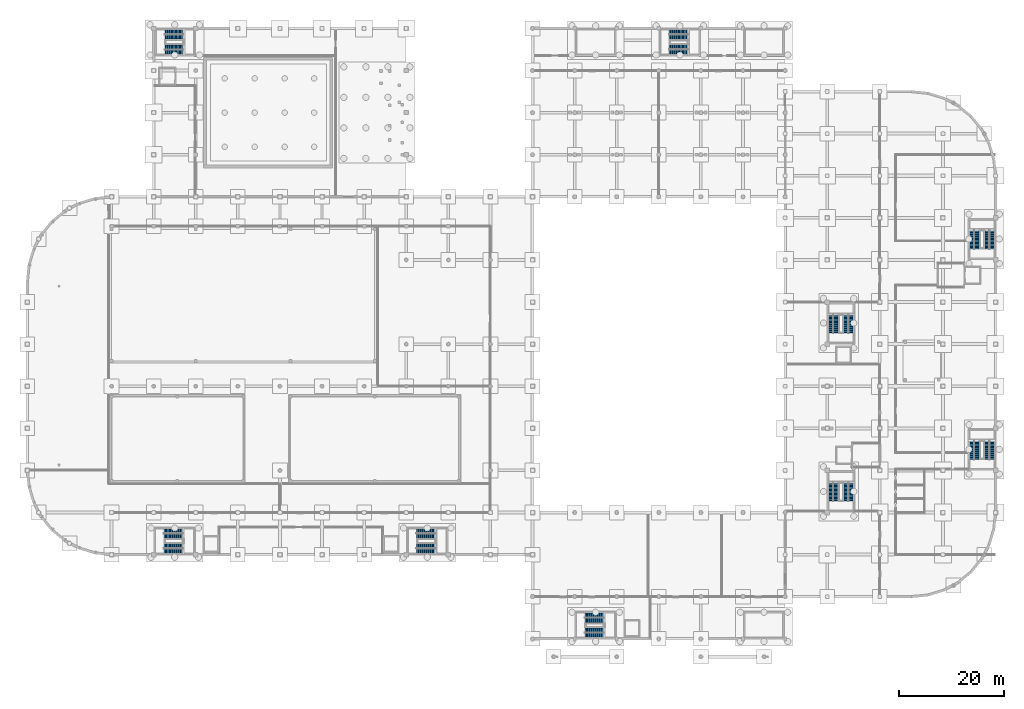
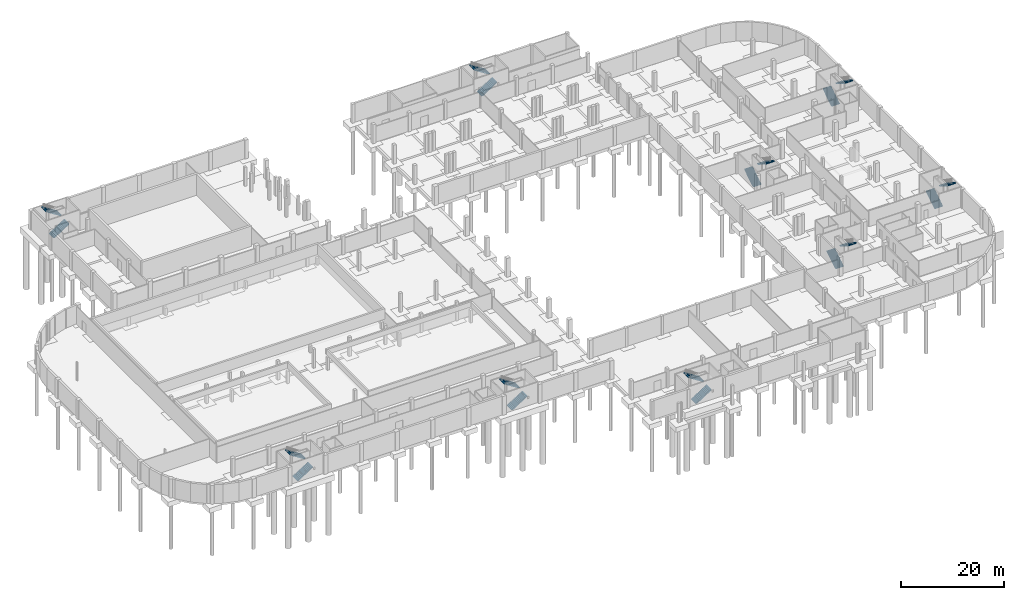
# One storey, part 28 of 29: 18 stair flights, 9 elements without a shape of their own.
"""IFC4 building model written with IfcOpenShell, lengths in metres."""

from ifc_helpers import new_model, si_unit, direction, frame, origin, place, context, subcontext, project, spatial, polyline, outline, extrude, material, type_object, element, aggregate, save


model = new_model("IFC4")

# Units and contexts
model_context = context("Model", 3, precision=1e-05, world=origin(), true_north=direction((0.0, 1.0)))
body_context = subcontext(model_context, "Body", "Model", "MODEL_VIEW")
ifc_project = project(units=[si_unit("LENGTHUNIT", "METRE"), si_unit("AREAUNIT", "SQUARE_METRE"), si_unit("VOLUMEUNIT", "CUBIC_METRE"), si_unit("PLANEANGLEUNIT", "RADIAN"), si_unit("MASSUNIT", "GRAM", prefix="KILO")], contexts=[model_context])

# Site, building, storey
site_placement = place(None, origin())
site = spatial("IfcSite", under=ifc_project, at=site_placement, CompositionType="ELEMENT")
building_placement = place(site_placement, origin())
building = spatial("IfcBuilding", under=site, at=building_placement, Name="Drelvana Railside Aquatics Centre", CompositionType="ELEMENT")
storey_placement = place(building_placement, frame((0.0, 0.0, -4.800048828125)))
storey = spatial("IfcBuildingStorey", under=building, at=storey_placement, Name="B1", CompositionType="ELEMENT", Elevation=-4.800048828125)

# Stair, stair flights
ifc_material = material(Name="Concrete C40/50", Category="concrete")
stair_type = type_object("IfcStairType", Name="ST-CORE-B1", PredefinedType="HALF_TURN_STAIR", material=ifc_material)
stair_1_placement = place(storey_placement, origin())
stair_1 = element("IfcStair", 1, at=stair_1_placement, inside=storey, type_object=stair_type, Name="Exit stair ST-01 (B1 to L00)", PredefinedType="HALF_TURN_STAIR")
stair_flight_type = type_object("IfcStairFlightType", Name="ST-CORE-B1-FL", PredefinedType="STRAIGHT", material=ifc_material)
stair_flight_1_placement = place(storey_placement, frame((25.969970703125, 17.175048828125, 0.0), z_axis=(0.0, 0.0, 1.0), x_axis=(1.0, 0.0, 0.0)))
stair_flight_1 = element("IfcStairFlight", 2, at=stair_flight_1_placement, type_object=stair_flight_type, Name="ST-B1 flight 1", NumberOfRisers=15, NumberOfTreads=14, PredefinedType="STRAIGHT", RiserHeight=0.16, TreadLength=0.25, context=body_context, shape_type="SweptSolid", body=[
    extrude(outline(polyline([(0.0, 0.0), (0.0, 0.159912109375), (0.25, 0.159912109375), (0.25, 0.320068359375), (0.5, 0.320068359375), (0.5, 0.47998046875), (0.75, 0.47998046875), (0.75, 0.639892578125), (1.0, 0.639892578125), (1.0, 0.800048828125), (1.25, 0.800048828125), (1.25, 0.9599609375), (1.5, 0.9599609375), (1.5, 1.1201171875), (1.75, 1.1201171875), (1.75, 1.280029296875), (2.0, 1.280029296875), (2.0, 1.43994140625), (2.25, 1.43994140625), (2.25, 1.60009765625), (2.5, 1.60009765625), (2.5, 1.760009765625), (2.75, 1.760009765625), (2.75, 1.919921875), (3.0, 1.919921875), (3.0, 2.080078125), (3.25, 2.080078125), (3.25, 2.239990234375), (3.5, 2.239990234375), (3.5, 2.39990234375), (3.5, 2.002685546875), (0.370849609375, 0.0), (0.0, 0.0)])), frame((0.0, 0.925048828125, 0.0), z_axis=(0.0, -1.0, 0.0), x_axis=(1.0, 0.0, 0.0)), (0.0, 0.0, 1.0), 1.85009765625),
])
stair_flight_2_placement = place(storey_placement, frame((29.469970703125, 20.02490234375, 2.400146484375), z_axis=(0.0, 0.0, 1.0), x_axis=(-1.0, 0.0, 0.0)))
stair_flight_2 = element("IfcStairFlight", 3, at=stair_flight_2_placement, type_object=stair_flight_type, Name="ST-B1 flight 2", NumberOfRisers=15, NumberOfTreads=14, PredefinedType="STRAIGHT", RiserHeight=0.16, TreadLength=0.25, context=body_context, shape_type="SweptSolid", body=[
    extrude(outline(polyline([(0.0, 0.0), (0.0, 0.159912109375), (0.25, 0.159912109375), (0.25, 0.320068359375), (0.5, 0.320068359375), (0.5, 0.47998046875), (0.75, 0.47998046875), (0.75, 0.639892578125), (1.0, 0.639892578125), (1.0, 0.800048828125), (1.25, 0.800048828125), (1.25, 0.9599609375), (1.5, 0.9599609375), (1.5, 1.1201171875), (1.75, 1.1201171875), (1.75, 1.280029296875), (2.0, 1.280029296875), (2.0, 1.43994140625), (2.25, 1.43994140625), (2.25, 1.60009765625), (2.5, 1.60009765625), (2.5, 1.760009765625), (2.75, 1.760009765625), (2.75, 1.919921875), (3.0, 1.919921875), (3.0, 2.080078125), (3.25, 2.080078125), (3.25, 2.239990234375), (3.5, 2.239990234375), (3.5, 2.39990234375), (3.5, 2.002685546875), (0.370849609375, 0.0), (0.0, 0.0)])), frame((0.0, 0.925048828125, 0.0), z_axis=(0.0, -1.0, 0.0), x_axis=(1.0, 0.0, 0.0)), (0.0, 0.0, 1.0), 1.85009765625),
])
aggregate(stair_1, [stair_flight_1, stair_flight_2])

stair_2_placement = place(storey_placement, origin())
stair_2 = element("IfcStair", 4, at=stair_2_placement, inside=storey, type_object=stair_type, Name="Exit stair ST-02 (B1 to L00)", PredefinedType="HALF_TURN_STAIR")
stair_flight_3_placement = place(storey_placement, frame((73.969970703125, 17.175048828125, 0.0), z_axis=(0.0, 0.0, 1.0), x_axis=(1.0, 0.0, 0.0)))
stair_flight_3 = element("IfcStairFlight", 5, at=stair_flight_3_placement, type_object=stair_flight_type, Name="ST-B1 flight 1", NumberOfRisers=15, NumberOfTreads=14, PredefinedType="STRAIGHT", RiserHeight=0.16, TreadLength=0.25, context=body_context, shape_type="SweptSolid", body=[
    extrude(outline(polyline([(0.0, 0.0), (0.0, 0.159912109375), (0.25, 0.159912109375), (0.25, 0.320068359375), (0.5, 0.320068359375), (0.5, 0.47998046875), (0.75, 0.47998046875), (0.75, 0.639892578125), (1.0, 0.639892578125), (1.0, 0.800048828125), (1.25, 0.800048828125), (1.25, 0.9599609375), (1.5, 0.9599609375), (1.5, 1.1201171875), (1.75, 1.1201171875), (1.75, 1.280029296875), (2.0, 1.280029296875), (2.0, 1.43994140625), (2.25, 1.43994140625), (2.25, 1.60009765625), (2.5, 1.60009765625), (2.5, 1.760009765625), (2.75, 1.760009765625), (2.75, 1.919921875), (3.0, 1.919921875), (3.0, 2.080078125), (3.25, 2.080078125), (3.25, 2.239990234375), (3.5, 2.239990234375), (3.5, 2.39990234375), (3.5, 2.002685546875), (0.370849609375, 0.0), (0.0, 0.0)])), frame((0.0, 0.925048828125, 0.0), z_axis=(0.0, -1.0, 0.0), x_axis=(1.0, 0.0, 0.0)), (0.0, 0.0, 1.0), 1.85009765625),
])
stair_flight_4_placement = place(storey_placement, frame((77.469970703125, 20.02490234375, 2.400146484375), z_axis=(0.0, 0.0, 1.0), x_axis=(-1.0, 0.0, 0.0)))
stair_flight_4 = element("IfcStairFlight", 6, at=stair_flight_4_placement, type_object=stair_flight_type, Name="ST-B1 flight 2", NumberOfRisers=15, NumberOfTreads=14, PredefinedType="STRAIGHT", RiserHeight=0.16, TreadLength=0.25, context=body_context, shape_type="SweptSolid", body=[
    extrude(outline(polyline([(0.0, 0.0), (0.0, 0.159912109375), (0.25, 0.159912109375), (0.25, 0.320068359375), (0.5, 0.320068359375), (0.5, 0.47998046875), (0.75, 0.47998046875), (0.75, 0.639892578125), (1.0, 0.639892578125), (1.0, 0.800048828125), (1.25, 0.800048828125), (1.25, 0.9599609375), (1.5, 0.9599609375), (1.5, 1.1201171875), (1.75, 1.1201171875), (1.75, 1.280029296875), (2.0, 1.280029296875), (2.0, 1.43994140625), (2.25, 1.43994140625), (2.25, 1.60009765625), (2.5, 1.60009765625), (2.5, 1.760009765625), (2.75, 1.760009765625), (2.75, 1.919921875), (3.0, 1.919921875), (3.0, 2.080078125), (3.25, 2.080078125), (3.25, 2.239990234375), (3.5, 2.239990234375), (3.5, 2.39990234375), (3.5, 2.002685546875), (0.370849609375, 0.0), (0.0, 0.0)])), frame((0.0, 0.925048828125, 0.0), z_axis=(0.0, -1.0, 0.0), x_axis=(1.0, 0.0, 0.0)), (0.0, 0.0, 1.0), 1.85009765625),
])
aggregate(stair_2, [stair_flight_3, stair_flight_4])

stair_3_placement = place(storey_placement, origin())
stair_3 = element("IfcStair", 7, at=stair_3_placement, inside=storey, type_object=stair_type, Name="Exit stair ST-03 (B1 to L00)", PredefinedType="HALF_TURN_STAIR")
stair_flight_5_placement = place(storey_placement, frame((26.1201171875, 111.949951171875, 0.0), z_axis=(0.0, 0.0, 1.0), x_axis=(1.0, 0.0, 0.0)))
stair_flight_5 = element("IfcStairFlight", 8, at=stair_flight_5_placement, type_object=stair_flight_type, Name="ST-B1 flight 1", NumberOfRisers=15, NumberOfTreads=14, PredefinedType="STRAIGHT", RiserHeight=0.16, TreadLength=0.25, context=body_context, shape_type="SweptSolid", body=[
    extrude(outline(polyline([(0.0, 0.0), (0.0, 0.159912109375), (0.25, 0.159912109375), (0.25, 0.320068359375), (0.5, 0.320068359375), (0.5, 0.47998046875), (0.75, 0.47998046875), (0.75, 0.639892578125), (1.0, 0.639892578125), (1.0, 0.800048828125), (1.25, 0.800048828125), (1.25, 0.9599609375), (1.5, 0.9599609375), (1.5, 1.1201171875), (1.75, 1.1201171875), (1.75, 1.280029296875), (2.0, 1.280029296875), (2.0, 1.43994140625), (2.25, 1.43994140625), (2.25, 1.60009765625), (2.5, 1.60009765625), (2.5, 1.760009765625), (2.75, 1.760009765625), (2.75, 1.919921875), (3.0, 1.919921875), (3.0, 2.080078125), (3.25, 2.080078125), (3.25, 2.239990234375), (3.5, 2.239990234375), (3.5, 2.39990234375), (3.5, 2.002685546875), (0.370849609375, 0.0), (0.0, 0.0)])), frame((0.0, 0.89990234375, 0.0), z_axis=(0.0, -1.0, 0.0), x_axis=(1.0, 0.0, 0.0)), (0.0, 0.0, 1.0), 1.800048828125),
])
stair_flight_6_placement = place(storey_placement, frame((29.6201171875, 114.85009765625, 2.400146484375), z_axis=(0.0, 0.0, 1.0), x_axis=(-1.0, 0.0, 0.0)))
stair_flight_6 = element("IfcStairFlight", 9, at=stair_flight_6_placement, type_object=stair_flight_type, Name="ST-B1 flight 2", NumberOfRisers=15, NumberOfTreads=14, PredefinedType="STRAIGHT", RiserHeight=0.16, TreadLength=0.25, context=body_context, shape_type="SweptSolid", body=[
    extrude(outline(polyline([(0.0, 0.0), (0.0, 0.159912109375), (0.25, 0.159912109375), (0.25, 0.320068359375), (0.5, 0.320068359375), (0.5, 0.47998046875), (0.75, 0.47998046875), (0.75, 0.639892578125), (1.0, 0.639892578125), (1.0, 0.800048828125), (1.25, 0.800048828125), (1.25, 0.9599609375), (1.5, 0.9599609375), (1.5, 1.1201171875), (1.75, 1.1201171875), (1.75, 1.280029296875), (2.0, 1.280029296875), (2.0, 1.43994140625), (2.25, 1.43994140625), (2.25, 1.60009765625), (2.5, 1.60009765625), (2.5, 1.760009765625), (2.75, 1.760009765625), (2.75, 1.919921875), (3.0, 1.919921875), (3.0, 2.080078125), (3.25, 2.080078125), (3.25, 2.239990234375), (3.5, 2.239990234375), (3.5, 2.39990234375), (3.5, 2.002685546875), (0.370849609375, 0.0), (0.0, 0.0)])), frame((0.0, 0.89990234375, 0.0), z_axis=(0.0, -1.0, 0.0), x_axis=(1.0, 0.0, 0.0)), (0.0, 0.0, 1.0), 1.800048828125),
])
aggregate(stair_3, [stair_flight_5, stair_flight_6])

stair_4_placement = place(storey_placement, origin())
stair_4 = element("IfcStair", 10, at=stair_4_placement, inside=storey, type_object=stair_type, Name="Exit stair ST-04 (B1 to L00)", PredefinedType="HALF_TURN_STAIR")
stair_flight_7_placement = place(storey_placement, frame((105.969970703125, 1.175048828125, 0.0), z_axis=(0.0, 0.0, 1.0), x_axis=(1.0, 0.0, 0.0)))
stair_flight_7 = element("IfcStairFlight", 11, at=stair_flight_7_placement, type_object=stair_flight_type, Name="ST-B1 flight 1", NumberOfRisers=15, NumberOfTreads=14, PredefinedType="STRAIGHT", RiserHeight=0.16, TreadLength=0.25, context=body_context, shape_type="SweptSolid", body=[
    extrude(outline(polyline([(0.0, 0.0), (0.0, 0.159912109375), (0.25, 0.159912109375), (0.25, 0.320068359375), (0.5, 0.320068359375), (0.5, 0.47998046875), (0.75, 0.47998046875), (0.75, 0.639892578125), (1.0, 0.639892578125), (1.0, 0.800048828125), (1.25, 0.800048828125), (1.25, 0.9599609375), (1.5, 0.9599609375), (1.5, 1.1201171875), (1.75, 1.1201171875), (1.75, 1.280029296875), (2.0, 1.280029296875), (2.0, 1.43994140625), (2.25, 1.43994140625), (2.25, 1.60009765625), (2.5, 1.60009765625), (2.5, 1.760009765625), (2.75, 1.760009765625), (2.75, 1.919921875), (3.0, 1.919921875), (3.0, 2.080078125), (3.25, 2.080078125), (3.25, 2.239990234375), (3.5, 2.239990234375), (3.5, 2.39990234375), (3.5, 2.002685546875), (0.370849609375, 0.0), (0.0, 0.0)])), frame((0.0, 0.925048828125, 0.0), z_axis=(0.0, -1.0, 0.0), x_axis=(1.0, 0.0, 0.0)), (0.0, 0.0, 1.0), 1.85009765625),
])
stair_flight_8_placement = place(storey_placement, frame((109.469970703125, 4.02490234375, 2.400146484375), z_axis=(0.0, 0.0, 1.0), x_axis=(-1.0, 0.0, 0.0)))
stair_flight_8 = element("IfcStairFlight", 12, at=stair_flight_8_placement, type_object=stair_flight_type, Name="ST-B1 flight 2", NumberOfRisers=15, NumberOfTreads=14, PredefinedType="STRAIGHT", RiserHeight=0.16, TreadLength=0.25, context=body_context, shape_type="SweptSolid", body=[
    extrude(outline(polyline([(0.0, 0.0), (0.0, 0.159912109375), (0.25, 0.159912109375), (0.25, 0.320068359375), (0.5, 0.320068359375), (0.5, 0.47998046875), (0.75, 0.47998046875), (0.75, 0.639892578125), (1.0, 0.639892578125), (1.0, 0.800048828125), (1.25, 0.800048828125), (1.25, 0.9599609375), (1.5, 0.9599609375), (1.5, 1.1201171875), (1.75, 1.1201171875), (1.75, 1.280029296875), (2.0, 1.280029296875), (2.0, 1.43994140625), (2.25, 1.43994140625), (2.25, 1.60009765625), (2.5, 1.60009765625), (2.5, 1.760009765625), (2.75, 1.760009765625), (2.75, 1.919921875), (3.0, 1.919921875), (3.0, 2.080078125), (3.25, 2.080078125), (3.25, 2.239990234375), (3.5, 2.239990234375), (3.5, 2.39990234375), (3.5, 2.002685546875), (0.370849609375, 0.0), (0.0, 0.0)])), frame((0.0, 0.925048828125, 0.0), z_axis=(0.0, -1.0, 0.0), x_axis=(1.0, 0.0, 0.0)), (0.0, 0.0, 1.0), 1.85009765625),
])
aggregate(stair_4, [stair_flight_7, stair_flight_8])

stair_5_placement = place(storey_placement, origin())
stair_5 = element("IfcStair", 13, at=stair_5_placement, inside=storey, type_object=stair_type, Name="Exit stair ST-05 (B1 to L00)", PredefinedType="HALF_TURN_STAIR")
stair_flight_9_placement = place(storey_placement, frame((121.969970703125, 111.97509765625, 0.0), z_axis=(0.0, 0.0, 1.0), x_axis=(1.0, 0.0, 0.0)))
stair_flight_9 = element("IfcStairFlight", 14, at=stair_flight_9_placement, type_object=stair_flight_type, Name="ST-B1 flight 1", NumberOfRisers=15, NumberOfTreads=14, PredefinedType="STRAIGHT", RiserHeight=0.16, TreadLength=0.25, context=body_context, shape_type="SweptSolid", body=[
    extrude(outline(polyline([(0.0, 0.0), (0.0, 0.159912109375), (0.25, 0.159912109375), (0.25, 0.320068359375), (0.5, 0.320068359375), (0.5, 0.47998046875), (0.75, 0.47998046875), (0.75, 0.639892578125), (1.0, 0.639892578125), (1.0, 0.800048828125), (1.25, 0.800048828125), (1.25, 0.9599609375), (1.5, 0.9599609375), (1.5, 1.1201171875), (1.75, 1.1201171875), (1.75, 1.280029296875), (2.0, 1.280029296875), (2.0, 1.43994140625), (2.25, 1.43994140625), (2.25, 1.60009765625), (2.5, 1.60009765625), (2.5, 1.760009765625), (2.75, 1.760009765625), (2.75, 1.919921875), (3.0, 1.919921875), (3.0, 2.080078125), (3.25, 2.080078125), (3.25, 2.239990234375), (3.5, 2.239990234375), (3.5, 2.39990234375), (3.5, 2.002685546875), (0.370849609375, 0.0), (0.0, 0.0)])), frame((0.0, 0.925048828125, 0.0), z_axis=(0.0, -1.0, 0.0), x_axis=(1.0, 0.0, 0.0)), (0.0, 0.0, 1.0), 1.85009765625),
])
stair_flight_10_placement = place(storey_placement, frame((125.469970703125, 114.824951171875, 2.400146484375), z_axis=(0.0, 0.0, 1.0), x_axis=(-1.0, 0.0, 0.0)))
stair_flight_10 = element("IfcStairFlight", 15, at=stair_flight_10_placement, type_object=stair_flight_type, Name="ST-B1 flight 2", NumberOfRisers=15, NumberOfTreads=14, PredefinedType="STRAIGHT", RiserHeight=0.16, TreadLength=0.25, context=body_context, shape_type="SweptSolid", body=[
    extrude(outline(polyline([(0.0, 0.0), (0.0, 0.159912109375), (0.25, 0.159912109375), (0.25, 0.320068359375), (0.5, 0.320068359375), (0.5, 0.47998046875), (0.75, 0.47998046875), (0.75, 0.639892578125), (1.0, 0.639892578125), (1.0, 0.800048828125), (1.25, 0.800048828125), (1.25, 0.9599609375), (1.5, 0.9599609375), (1.5, 1.1201171875), (1.75, 1.1201171875), (1.75, 1.280029296875), (2.0, 1.280029296875), (2.0, 1.43994140625), (2.25, 1.43994140625), (2.25, 1.60009765625), (2.5, 1.60009765625), (2.5, 1.760009765625), (2.75, 1.760009765625), (2.75, 1.919921875), (3.0, 1.919921875), (3.0, 2.080078125), (3.25, 2.080078125), (3.25, 2.239990234375), (3.5, 2.239990234375), (3.5, 2.39990234375), (3.5, 2.002685546875), (0.370849609375, 0.0), (0.0, 0.0)])), frame((0.0, 0.925048828125, 0.0), z_axis=(0.0, -1.0, 0.0), x_axis=(1.0, 0.0, 0.0)), (0.0, 0.0, 1.0), 1.85009765625),
])
aggregate(stair_5, [stair_flight_9, stair_flight_10])

stair_6_placement = place(storey_placement, origin())
stair_6 = element("IfcStair", 16, at=stair_6_placement, inside=storey, type_object=stair_type, Name="Exit stair ST-06 (B1 to L00)", PredefinedType="HALF_TURN_STAIR")
stair_flight_11_placement = place(storey_placement, frame((153.14990234375, 26.14990234375, 0.0), z_axis=(0.0, 0.0, 1.0), x_axis=(0.0, 1.0, 0.0)))
stair_flight_11 = element("IfcStairFlight", 17, at=stair_flight_11_placement, type_object=stair_flight_type, Name="ST-B1 flight 1", NumberOfRisers=15, NumberOfTreads=14, PredefinedType="STRAIGHT", RiserHeight=0.16, TreadLength=0.25, context=body_context, shape_type="SweptSolid", body=[
    extrude(outline(polyline([(0.0, 0.0), (0.0, 0.159912109375), (0.25, 0.159912109375), (0.25, 0.320068359375), (0.5, 0.320068359375), (0.5, 0.47998046875), (0.75, 0.47998046875), (0.75, 0.639892578125), (1.0, 0.639892578125), (1.0, 0.800048828125), (1.25, 0.800048828125), (1.25, 0.9599609375), (1.5, 0.9599609375), (1.5, 1.1201171875), (1.75, 1.1201171875), (1.75, 1.280029296875), (2.0, 1.280029296875), (2.0, 1.43994140625), (2.25, 1.43994140625), (2.25, 1.60009765625), (2.5, 1.60009765625), (2.5, 1.760009765625), (2.75, 1.760009765625), (2.75, 1.919921875), (3.0, 1.919921875), (3.0, 2.080078125), (3.25, 2.080078125), (3.25, 2.239990234375), (3.5, 2.239990234375), (3.5, 2.39990234375), (3.5, 2.002685546875), (0.370849609375, 0.0), (0.0, 0.0)])), frame((0.0, 0.89990234375, 0.0), z_axis=(0.0, -1.0, 0.0), x_axis=(1.0, 0.0, 0.0)), (0.0, 0.0, 1.0), 1.800048828125),
])
stair_flight_12_placement = place(storey_placement, frame((156.050048828125, 29.64990234375, 2.400146484375), z_axis=(0.0, 0.0, 1.0), x_axis=(0.0, -1.0, 0.0)))
stair_flight_12 = element("IfcStairFlight", 18, at=stair_flight_12_placement, type_object=stair_flight_type, Name="ST-B1 flight 2", NumberOfRisers=15, NumberOfTreads=14, PredefinedType="STRAIGHT", RiserHeight=0.16, TreadLength=0.25, context=body_context, shape_type="SweptSolid", body=[
    extrude(outline(polyline([(0.0, 0.0), (0.0, 0.159912109375), (0.25, 0.159912109375), (0.25, 0.320068359375), (0.5, 0.320068359375), (0.5, 0.47998046875), (0.75, 0.47998046875), (0.75, 0.639892578125), (1.0, 0.639892578125), (1.0, 0.800048828125), (1.25, 0.800048828125), (1.25, 0.9599609375), (1.5, 0.9599609375), (1.5, 1.1201171875), (1.75, 1.1201171875), (1.75, 1.280029296875), (2.0, 1.280029296875), (2.0, 1.43994140625), (2.25, 1.43994140625), (2.25, 1.60009765625), (2.5, 1.60009765625), (2.5, 1.760009765625), (2.75, 1.760009765625), (2.75, 1.919921875), (3.0, 1.919921875), (3.0, 2.080078125), (3.25, 2.080078125), (3.25, 2.239990234375), (3.5, 2.239990234375), (3.5, 2.39990234375), (3.5, 2.002685546875), (0.370849609375, 0.0), (0.0, 0.0)])), frame((0.0, 0.89990234375, 0.0), z_axis=(0.0, -1.0, 0.0), x_axis=(1.0, 0.0, 0.0)), (0.0, 0.0, 1.0), 1.800048828125),
])
aggregate(stair_6, [stair_flight_11, stair_flight_12])

stair_7_placement = place(storey_placement, origin())
stair_7 = element("IfcStair", 19, at=stair_7_placement, inside=storey, type_object=stair_type, Name="Exit stair ST-07 (B1 to L00)", PredefinedType="HALF_TURN_STAIR")
stair_flight_13_placement = place(storey_placement, frame((179.949951171875, 74.090087890625, 0.0), z_axis=(0.0, 0.0, 1.0), x_axis=(0.0, 1.0, 0.0)))
stair_flight_13 = element("IfcStairFlight", 20, at=stair_flight_13_placement, type_object=stair_flight_type, Name="ST-B1 flight 1", NumberOfRisers=15, NumberOfTreads=14, PredefinedType="STRAIGHT", RiserHeight=0.16, TreadLength=0.25, context=body_context, shape_type="SweptSolid", body=[
    extrude(outline(polyline([(0.0, 0.0), (0.0, 0.159912109375), (0.25, 0.159912109375), (0.25, 0.320068359375), (0.5, 0.320068359375), (0.5, 0.47998046875), (0.75, 0.47998046875), (0.75, 0.639892578125), (1.0, 0.639892578125), (1.0, 0.800048828125), (1.25, 0.800048828125), (1.25, 0.9599609375), (1.5, 0.9599609375), (1.5, 1.1201171875), (1.75, 1.1201171875), (1.75, 1.280029296875), (2.0, 1.280029296875), (2.0, 1.43994140625), (2.25, 1.43994140625), (2.25, 1.60009765625), (2.5, 1.60009765625), (2.5, 1.760009765625), (2.75, 1.760009765625), (2.75, 1.919921875), (3.0, 1.919921875), (3.0, 2.080078125), (3.25, 2.080078125), (3.25, 2.239990234375), (3.5, 2.239990234375), (3.5, 2.39990234375), (3.5, 2.002685546875), (0.370849609375, 0.0), (0.0, 0.0)])), frame((0.0, 0.89990234375, 0.0), z_axis=(0.0, -1.0, 0.0), x_axis=(1.0, 0.0, 0.0)), (0.0, 0.0, 1.0), 1.800048828125),
])
stair_flight_14_placement = place(storey_placement, frame((182.85009765625, 77.590087890625, 2.400146484375), z_axis=(0.0, 0.0, 1.0), x_axis=(0.0, -1.0, 0.0)))
stair_flight_14 = element("IfcStairFlight", 21, at=stair_flight_14_placement, type_object=stair_flight_type, Name="ST-B1 flight 2", NumberOfRisers=15, NumberOfTreads=14, PredefinedType="STRAIGHT", RiserHeight=0.16, TreadLength=0.25, context=body_context, shape_type="SweptSolid", body=[
    extrude(outline(polyline([(0.0, 0.0), (0.0, 0.159912109375), (0.25, 0.159912109375), (0.25, 0.320068359375), (0.5, 0.320068359375), (0.5, 0.47998046875), (0.75, 0.47998046875), (0.75, 0.639892578125), (1.0, 0.639892578125), (1.0, 0.800048828125), (1.25, 0.800048828125), (1.25, 0.9599609375), (1.5, 0.9599609375), (1.5, 1.1201171875), (1.75, 1.1201171875), (1.75, 1.280029296875), (2.0, 1.280029296875), (2.0, 1.43994140625), (2.25, 1.43994140625), (2.25, 1.60009765625), (2.5, 1.60009765625), (2.5, 1.760009765625), (2.75, 1.760009765625), (2.75, 1.919921875), (3.0, 1.919921875), (3.0, 2.080078125), (3.25, 2.080078125), (3.25, 2.239990234375), (3.5, 2.239990234375), (3.5, 2.39990234375), (3.5, 2.002685546875), (0.370849609375, 0.0), (0.0, 0.0)])), frame((0.0, 0.89990234375, 0.0), z_axis=(0.0, -1.0, 0.0), x_axis=(1.0, 0.0, 0.0)), (0.0, 0.0, 1.0), 1.800048828125),
])
aggregate(stair_7, [stair_flight_13, stair_flight_14])

stair_8_placement = place(storey_placement, origin())
stair_8 = element("IfcStair", 22, at=stair_8_placement, inside=storey, type_object=stair_type, Name="Exit stair ST-08 (B1 to L00)", PredefinedType="HALF_TURN_STAIR")
stair_flight_15_placement = place(storey_placement, frame((153.159912109375, 58.090087890625, 0.0), z_axis=(0.0, 0.0, 1.0), x_axis=(0.0, 1.0, 0.0)))
stair_flight_15 = element("IfcStairFlight", 23, at=stair_flight_15_placement, type_object=stair_flight_type, Name="ST-B1 flight 1", NumberOfRisers=15, NumberOfTreads=14, PredefinedType="STRAIGHT", RiserHeight=0.16, TreadLength=0.25, context=body_context, shape_type="SweptSolid", body=[
    extrude(outline(polyline([(0.0, 0.0), (0.0, 0.159912109375), (0.25, 0.159912109375), (0.25, 0.320068359375), (0.5, 0.320068359375), (0.5, 0.47998046875), (0.75, 0.47998046875), (0.75, 0.639892578125), (1.0, 0.639892578125), (1.0, 0.800048828125), (1.25, 0.800048828125), (1.25, 0.9599609375), (1.5, 0.9599609375), (1.5, 1.1201171875), (1.75, 1.1201171875), (1.75, 1.280029296875), (2.0, 1.280029296875), (2.0, 1.43994140625), (2.25, 1.43994140625), (2.25, 1.60009765625), (2.5, 1.60009765625), (2.5, 1.760009765625), (2.75, 1.760009765625), (2.75, 1.919921875), (3.0, 1.919921875), (3.0, 2.080078125), (3.25, 2.080078125), (3.25, 2.239990234375), (3.5, 2.239990234375), (3.5, 2.39990234375), (3.5, 2.002685546875), (0.370849609375, 0.0), (0.0, 0.0)])), frame((0.0, 0.91015625, 0.0), z_axis=(0.0, -1.0, 0.0), x_axis=(1.0, 0.0, 0.0)), (0.0, 0.0, 1.0), 1.820068359375),
])
stair_flight_16_placement = place(storey_placement, frame((156.0400390625, 61.590087890625, 2.400146484375), z_axis=(0.0, 0.0, 1.0), x_axis=(0.0, -1.0, 0.0)))
stair_flight_16 = element("IfcStairFlight", 24, at=stair_flight_16_placement, type_object=stair_flight_type, Name="ST-B1 flight 2", NumberOfRisers=15, NumberOfTreads=14, PredefinedType="STRAIGHT", RiserHeight=0.16, TreadLength=0.25, context=body_context, shape_type="SweptSolid", body=[
    extrude(outline(polyline([(0.0, 0.0), (0.0, 0.159912109375), (0.25, 0.159912109375), (0.25, 0.320068359375), (0.5, 0.320068359375), (0.5, 0.47998046875), (0.75, 0.47998046875), (0.75, 0.639892578125), (1.0, 0.639892578125), (1.0, 0.800048828125), (1.25, 0.800048828125), (1.25, 0.9599609375), (1.5, 0.9599609375), (1.5, 1.1201171875), (1.75, 1.1201171875), (1.75, 1.280029296875), (2.0, 1.280029296875), (2.0, 1.43994140625), (2.25, 1.43994140625), (2.25, 1.60009765625), (2.5, 1.60009765625), (2.5, 1.760009765625), (2.75, 1.760009765625), (2.75, 1.919921875), (3.0, 1.919921875), (3.0, 2.080078125), (3.25, 2.080078125), (3.25, 2.239990234375), (3.5, 2.239990234375), (3.5, 2.39990234375), (3.5, 2.002685546875), (0.370849609375, 0.0), (0.0, 0.0)])), frame((0.0, 0.91015625, 0.0), z_axis=(0.0, -1.0, 0.0), x_axis=(1.0, 0.0, 0.0)), (0.0, 0.0, 1.0), 1.820068359375),
])
aggregate(stair_8, [stair_flight_15, stair_flight_16])

stair_9_placement = place(storey_placement, origin())
stair_9 = element("IfcStair", 25, at=stair_9_placement, inside=storey, type_object=stair_type, Name="Exit stair ST-09 (B1 to L00)", PredefinedType="HALF_TURN_STAIR")
stair_flight_17_placement = place(storey_placement, frame((179.9599609375, 34.090087890625, 0.0), z_axis=(0.0, 0.0, 1.0), x_axis=(0.0, 1.0, 0.0)))
stair_flight_17 = element("IfcStairFlight", 26, at=stair_flight_17_placement, type_object=stair_flight_type, Name="ST-B1 flight 1", NumberOfRisers=15, NumberOfTreads=14, PredefinedType="STRAIGHT", RiserHeight=0.16, TreadLength=0.25, context=body_context, shape_type="SweptSolid", body=[
    extrude(outline(polyline([(0.0, 0.0), (0.0, 0.159912109375), (0.25, 0.159912109375), (0.25, 0.320068359375), (0.5, 0.320068359375), (0.5, 0.47998046875), (0.75, 0.47998046875), (0.75, 0.639892578125), (1.0, 0.639892578125), (1.0, 0.800048828125), (1.25, 0.800048828125), (1.25, 0.9599609375), (1.5, 0.9599609375), (1.5, 1.1201171875), (1.75, 1.1201171875), (1.75, 1.280029296875), (2.0, 1.280029296875), (2.0, 1.43994140625), (2.25, 1.43994140625), (2.25, 1.60009765625), (2.5, 1.60009765625), (2.5, 1.760009765625), (2.75, 1.760009765625), (2.75, 1.919921875), (3.0, 1.919921875), (3.0, 2.080078125), (3.25, 2.080078125), (3.25, 2.239990234375), (3.5, 2.239990234375), (3.5, 2.39990234375), (3.5, 2.002685546875), (0.370849609375, 0.0), (0.0, 0.0)])), frame((0.0, 0.91015625, 0.0), z_axis=(0.0, -1.0, 0.0), x_axis=(1.0, 0.0, 0.0)), (0.0, 0.0, 1.0), 1.820068359375),
])
stair_flight_18_placement = place(storey_placement, frame((182.840087890625, 37.590087890625, 2.400146484375), z_axis=(0.0, 0.0, 1.0), x_axis=(0.0, -1.0, 0.0)))
stair_flight_18 = element("IfcStairFlight", 27, at=stair_flight_18_placement, type_object=stair_flight_type, Name="ST-B1 flight 2", NumberOfRisers=15, NumberOfTreads=14, PredefinedType="STRAIGHT", RiserHeight=0.16, TreadLength=0.25, context=body_context, shape_type="SweptSolid", body=[
    extrude(outline(polyline([(0.0, 0.0), (0.0, 0.159912109375), (0.25, 0.159912109375), (0.25, 0.320068359375), (0.5, 0.320068359375), (0.5, 0.47998046875), (0.75, 0.47998046875), (0.75, 0.639892578125), (1.0, 0.639892578125), (1.0, 0.800048828125), (1.25, 0.800048828125), (1.25, 0.9599609375), (1.5, 0.9599609375), (1.5, 1.1201171875), (1.75, 1.1201171875), (1.75, 1.280029296875), (2.0, 1.280029296875), (2.0, 1.43994140625), (2.25, 1.43994140625), (2.25, 1.60009765625), (2.5, 1.60009765625), (2.5, 1.760009765625), (2.75, 1.760009765625), (2.75, 1.919921875), (3.0, 1.919921875), (3.0, 2.080078125), (3.25, 2.080078125), (3.25, 2.239990234375), (3.5, 2.239990234375), (3.5, 2.39990234375), (3.5, 2.002685546875), (0.370849609375, 0.0), (0.0, 0.0)])), frame((0.0, 0.91015625, 0.0), z_axis=(0.0, -1.0, 0.0), x_axis=(1.0, 0.0, 0.0)), (0.0, 0.0, 1.0), 1.820068359375),
])
aggregate(stair_9, [stair_flight_17, stair_flight_18])

save(model, "model.ifc")
